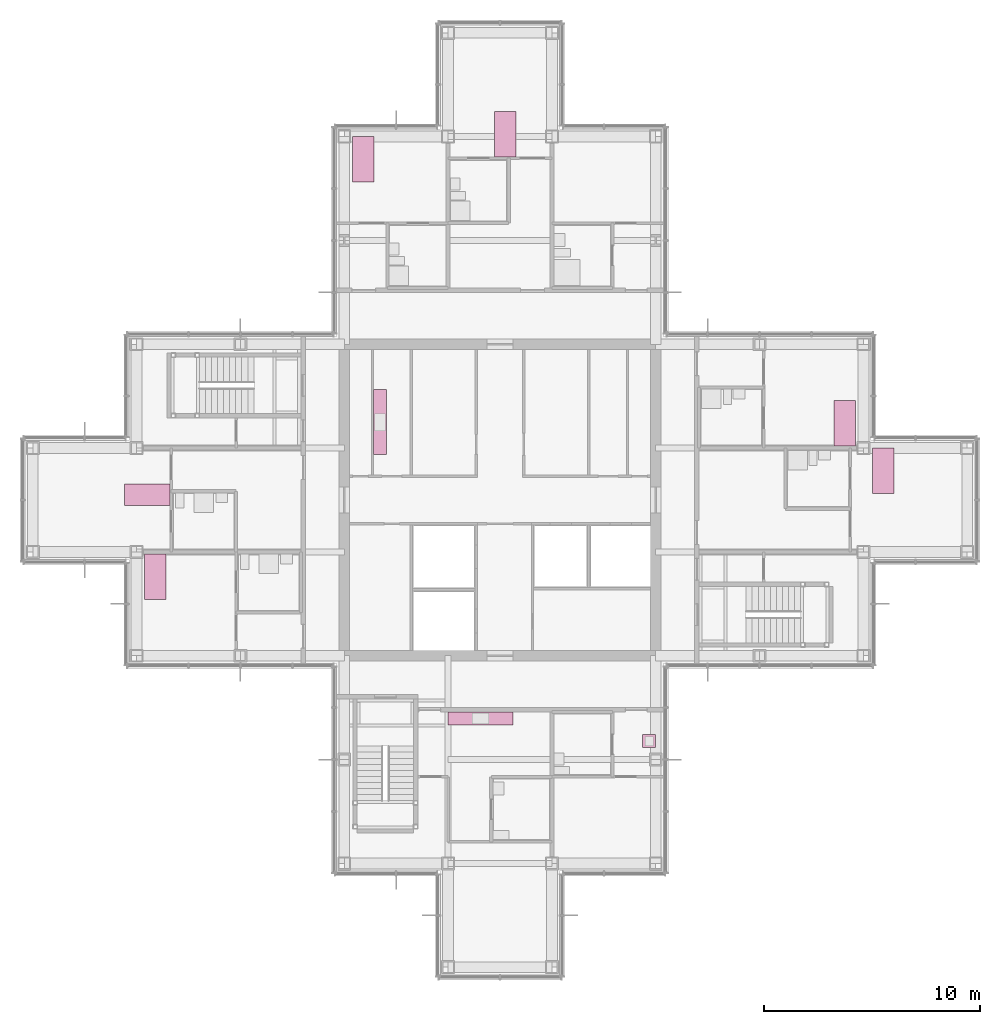
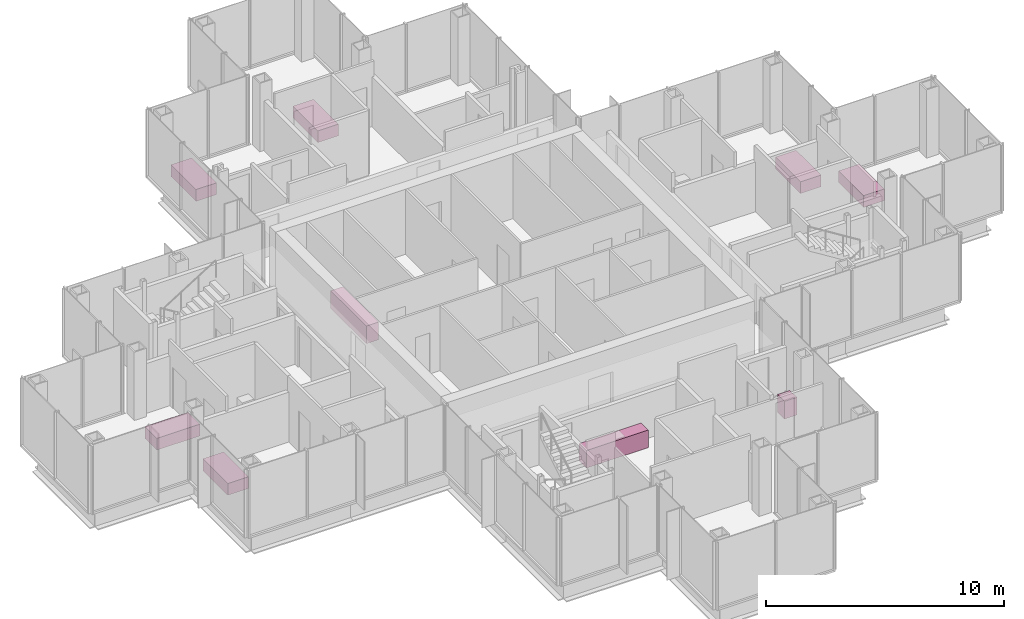
# One storey, part 17 of 17: 9 furniture elements.
"""IFC4 building model written with IfcOpenShell, lengths in metres."""

from ifc_helpers import new_model, si_unit, direction, frame, origin, origin_2d, place, context, subcontext, project, spatial, rectangle, extrude, material, type_object, element, save


model = new_model("IFC4")

# Units and contexts
model_context = context("Model", 3, precision=1e-05, world=origin(), true_north=direction((0.0, 1.0)))
body_context = subcontext(model_context, "Body", "Model", "MODEL_VIEW")
ifc_project = project(units=[si_unit("LENGTHUNIT", "METRE"), si_unit("AREAUNIT", "SQUARE_METRE"), si_unit("VOLUMEUNIT", "CUBIC_METRE"), si_unit("PLANEANGLEUNIT", "RADIAN"), si_unit("MASSUNIT", "GRAM", prefix="KILO")], contexts=[model_context])

# Site, building, storey
site_placement = place(None, origin())
site = spatial("IfcSite", under=ifc_project, at=site_placement, CompositionType="ELEMENT")
building_placement = place(site_placement, origin())
building = spatial("IfcBuilding", under=site, at=building_placement, Name="Kvirike Care Tower", CompositionType="ELEMENT")
storey_placement = place(building_placement, frame((0.0, 0.0, 151.5)))
storey = spatial("IfcBuildingStorey", under=building, at=storey_placement, Name="L41", CompositionType="ELEMENT", Elevation=151.5)

# Furniture
ifc_material_1 = material(Name="Steel frame", Category="steel")
furniture_type_1 = type_object("IfcFurnitureType", Name="CARE BED 1000 x 2100", AssemblyPlace="FACTORY", PredefinedType="BED", material=ifc_material_1)
for number, where, z_axis, x_axis, name in (
    (1, (5.2880859375, 36.25, 0.0), (0.0, 0.0, 1.0), (0.0, -1.0, 0.0), "Care bed L41-005"),
    (2, (5.669921875, 32.447998046875, 0.0), (0.0, 0.0, 1.0), (1.0, 0.0, 0.0), "Care bed L41-008"),
    (3, (21.85009765625, 52.912109375, 0.0), (0.0, 0.0, 1.0), (-1.0, 0.0, 0.0), "Care bed L41-023"),
    (4, (15.27001953125, 51.748046875, 0.0), (0.0, 0.0, 1.0), (1.0, 0.0, 0.0), "Care bed L41-026"),
    (5, (39.320068359375, 37.347900390625, 0.0), (0.0, 0.0, 1.0), (1.0, 0.0, 0.0), "Care bed L41-033"),
    (6, (37.530029296875, 39.552001953125, 0.0), (0.0, 0.0, 1.0), (-1.0, 0.0, 0.0), "Care bed L41-036"),
):
    element("IfcFurniture", number, at=place(storey_placement, frame(where, z_axis=z_axis, x_axis=x_axis)), inside=storey, type_object=furniture_type_1, Name=name, PredefinedType="BED", context=body_context, shape_type="SweptSolid", body=[
        extrude(rectangle(XDim=1.0, YDim=2.10009765625, at=origin_2d()), origin(), (0.0, 0.0, 1.0), 0.60009765625),
    ])
ifc_material_2 = material(Name="Laminated board", Category="wood")
furniture_type_2 = type_object("IfcFurnitureType", Name="KITCHEN UNIT RUN 600", AssemblyPlace="FACTORY", PredefinedType="USERDEFINED", material=ifc_material_2)
furniture_1_placement = place(storey_placement, frame((20.699951171875, 25.89794921875, 0.0), z_axis=(0.0, 0.0, 1.0), x_axis=(1.0, 0.0, 0.0)))
element("IfcFurniture", 7, at=furniture_1_placement, inside=storey, type_object=furniture_type_2, Name="Kitchen unit run L41-015", ObjectType="KITCHEN UNIT", PredefinedType="USERDEFINED", context=body_context, shape_type="SweptSolid", body=[
    extrude(rectangle(XDim=3.0, YDim=0.60009765625, at=origin_2d()), origin(), (0.0, 0.0, 1.0), 0.89990234375),
])
furniture_2_placement = place(storey_placement, frame((28.498046875, 24.85009765625, 0.0), z_axis=(0.0, 0.0, 1.0), x_axis=(0.0, -1.0, 0.0)))
element("IfcFurniture", 8, at=furniture_2_placement, inside=storey, type_object=furniture_type_2, Name="Kitchen unit run L41-018", ObjectType="KITCHEN UNIT", PredefinedType="USERDEFINED", context=body_context, shape_type="SweptSolid", body=[
    extrude(rectangle(XDim=0.60009765625, YDim=0.60009765625, at=origin_2d()), origin(), (0.0, 0.0, 1.0), 0.89990234375),
])
furniture_3_placement = place(storey_placement, frame((16.052001953125, 39.60009765625, 0.0), z_axis=(0.0, 0.0, 1.0), x_axis=(0.0, 1.0, 0.0)))
element("IfcFurniture", 9, at=furniture_3_placement, inside=storey, type_object=furniture_type_2, Name="Kitchen unit run L41-045", ObjectType="KITCHEN UNIT", PredefinedType="USERDEFINED", context=body_context, shape_type="SweptSolid", body=[
    extrude(rectangle(XDim=3.0, YDim=0.60009765625, at=origin_2d()), origin(), (0.0, 0.0, 1.0), 0.89990234375),
])

save(model, "model.ifc")
